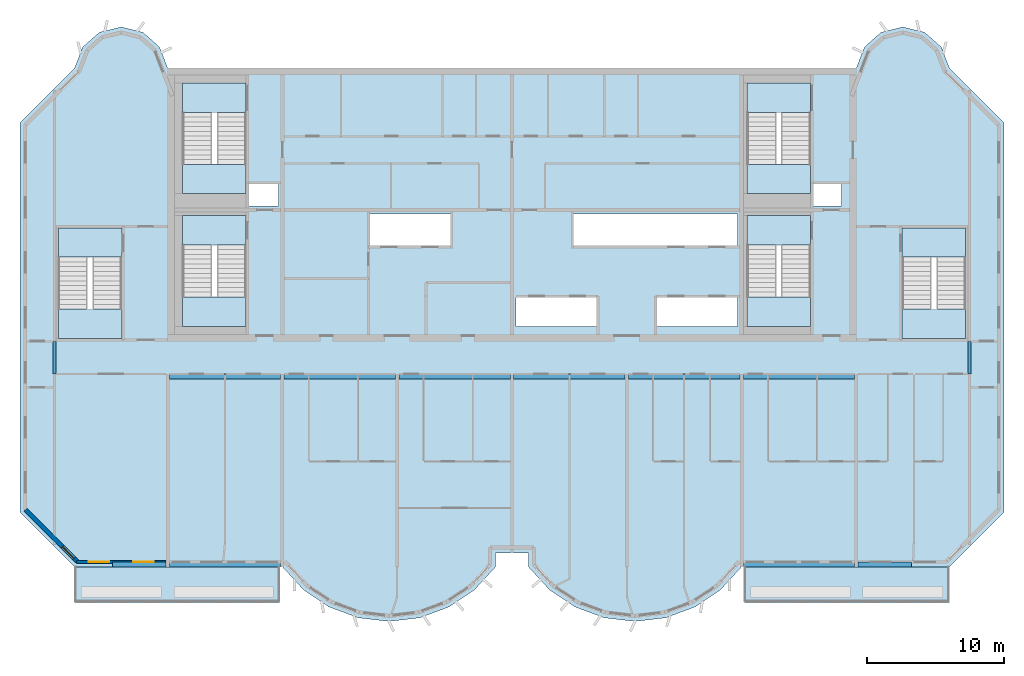
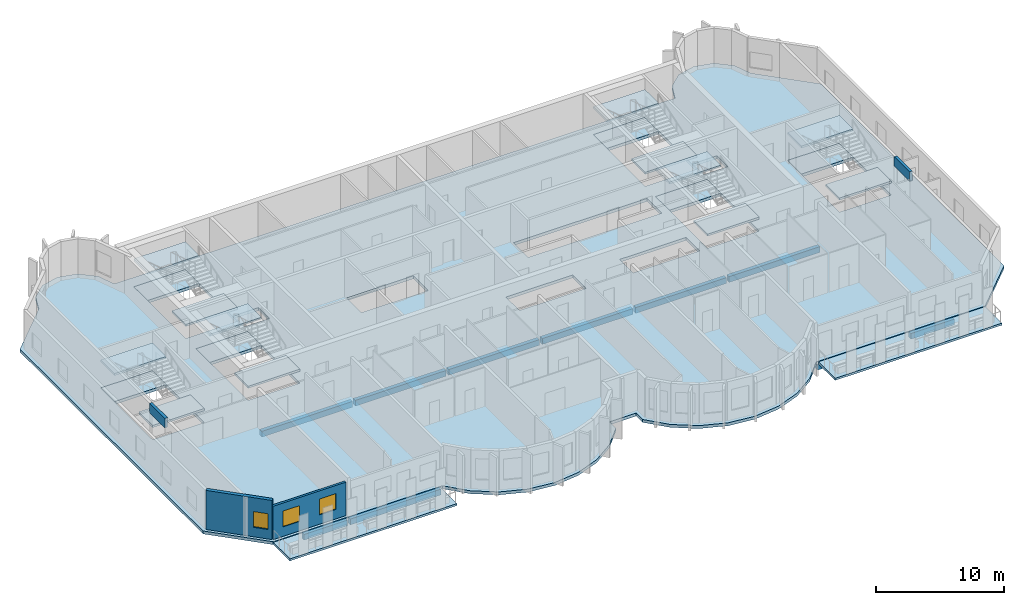
# One storey, part 1 of 12: 21 slabs, 12 beams, 3 windows, 2 walls, 3 openings, 6 elements without a shape of their own.
"""IFC4 building model written with IfcOpenShell, lengths in metres."""

from ifc_helpers import new_model, si_unit, direction, frame, frame_2d, origin, origin_2d, place, context, subcontext, project, spatial, polyline, rectangle, outline, extrude, source, transform, mapped, material, layer, layer_set, material_profile, profile_set, type_object, element, fill, aggregate, save


model = new_model("IFC4")

# Units and contexts
model_context = context("Model", 3, precision=1e-05, world=origin(), true_north=direction((0.0, 1.0)))
body_context = subcontext(model_context, "Body", "Model", "MODEL_VIEW")
ifc_project = project(units=[si_unit("LENGTHUNIT", "METRE"), si_unit("AREAUNIT", "SQUARE_METRE"), si_unit("VOLUMEUNIT", "CUBIC_METRE"), si_unit("PLANEANGLEUNIT", "RADIAN"), si_unit("MASSUNIT", "GRAM", prefix="KILO")], contexts=[model_context])

# Site, building, storey
site_placement = place(None, origin())
site = spatial("IfcSite", under=ifc_project, at=site_placement, CompositionType="ELEMENT")
building_placement = place(site_placement, origin())
building = spatial("IfcBuilding", under=site, at=building_placement, Name="Vanashikhar Sky Hotel", CompositionType="ELEMENT")
storey_placement = place(building_placement, frame((0.0, 0.0, 309.699951171875)))
storey = spatial("IfcBuildingStorey", under=building, at=storey_placement, Name="L74", CompositionType="ELEMENT", Elevation=309.699951171875)

# Beams
ifc_material_1 = material(Name="Concrete M50", Category="concrete")
ifc_material_profile_1 = material_profile(ifc_material_1, rectangle(XDim=0.25, YDim=0.89990234375, at=origin_2d()))
ifc_profile_set_1 = profile_set([ifc_material_profile_1], Name="RC 250x900 beam Concrete M50")
beam_type_1 = type_object("IfcBeamType", Name="RC 250x900 beam Concrete M50", PredefinedType="LINTEL", material=ifc_profile_set_1)
shared_shape_1 = source(origin(), body_context, "Body", "SweptSolid", [
    extrude(rectangle(XDim=0.25, YDim=0.89990234375, at=origin_2d()), origin(), (0.0, 0.0, 1.0), 2.39990234375),
])
for number, where, z_axis, x_axis, name in (
    (1, (16.925048828125, 19.60009765625, 3.27001953125), (0.0, 1.0, 0.0), (-1.0, 0.0, 0.0), "LB-L74-XW03"),
    (2, (83.875, 19.60009765625, 3.27001953125), (0.0, 1.0, 0.0), (-1.0, 0.0, 0.0), "LB-L74-XW11"),
):
    element("IfcBeam", number, at=place(storey_placement, frame(where, z_axis=z_axis, x_axis=x_axis)), inside=storey, type_object=beam_type_1, Name=name, PredefinedType="LINTEL", context=body_context, shape_type="MappedRepresentation", body=[
        mapped(shared_shape_1, transform((0.0, 0.0, 0.0), scale=1.0)),
    ])
ifc_material_profile_2 = material_profile(ifc_material_1, rectangle(XDim=0.35009765625, YDim=0.550048828125, at=origin_2d()))
ifc_profile_set_2 = profile_set([ifc_material_profile_2], Name="RC 350x550 beam Concrete M50")
beam_type_2 = type_object("IfcBeamType", Name="RC 350x550 beam Concrete M50", PredefinedType="SPANDREL", material=ifc_profile_set_2)
shared_shape_2 = source(origin(), body_context, "Body", "SweptSolid", [
    extrude(rectangle(XDim=0.35009765625, YDim=0.550048828125, at=origin_2d()), origin(), (0.0, 0.0, 1.0), 8.150146484375),
])
for number, where, z_axis, x_axis, name in (
    (3, (25.324951171875, 5.675048828125, -0.554931640625), (1.0, 0.0, 0.0), (0.0, 1.0, 0.0), "EB-L74-F01"),
    (4, (67.324951171875, 5.675048828125, -0.554931640625), (1.0, 0.0, 0.0), (0.0, 1.0, 0.0), "EB-L74-F03"),
    (5, (25.324951171875, 19.425048828125, -0.554931640625), (1.0, 0.0, 0.0), (0.0, 1.0, 0.0), "CB-L74-01"),
    (6, (50.52490234375, 19.425048828125, -0.554931640625), (1.0, 0.0, 0.0), (0.0, 1.0, 0.0), "CB-L74-04"),
    (7, (67.324951171875, 19.425048828125, -0.554931640625), (1.0, 0.0, 0.0), (0.0, 1.0, 0.0), "CB-L74-06"),
):
    element("IfcBeam", number, at=place(storey_placement, frame(where, z_axis=z_axis, x_axis=x_axis)), inside=storey, type_object=beam_type_2, Name=name, PredefinedType="SPANDREL", context=body_context, shape_type="MappedRepresentation", body=[
        mapped(shared_shape_2, transform((0.0, 0.0, 0.0), scale=1.0)),
    ])
ifc_material_profile_3 = material_profile(ifc_material_1, rectangle(XDim=0.35009765625, YDim=0.550048828125, at=origin_2d()))
ifc_profile_set_3 = profile_set([ifc_material_profile_3], Name="RC 350x550 cantilever beam Concrete M50")
beam_type_3 = type_object("IfcBeamType", Name="RC 350x550 cantilever beam Concrete M50", PredefinedType="SPANDREL", material=ifc_profile_set_3)
shared_shape_3 = source(origin(), body_context, "Body", "SweptSolid", [
    extrude(rectangle(XDim=0.35009765625, YDim=0.550048828125, at=origin_2d()), origin(), (0.0, 0.0, 1.0), 3.89990234375),
])
for number, where, z_axis, x_axis, name in (
    (8, (21.175048828125, 5.675048828125, -0.554931640625), (1.0, 0.0, 0.0), (0.0, 1.0, 0.0), "EB-L74-F02"),
    (9, (75.72509765625, 5.675048828125, -0.554931640625), (1.0, 0.0, 0.0), (0.0, 1.0, 0.0), "EB-L74-F04"),
):
    element("IfcBeam", number, at=place(storey_placement, frame(where, z_axis=z_axis, x_axis=x_axis)), inside=storey, type_object=beam_type_3, Name=name, PredefinedType="SPANDREL", context=body_context, shape_type="MappedRepresentation", body=[
        mapped(shared_shape_3, transform((0.0, 0.0, 0.0), scale=1.0)),
    ])
shared_shape_4 = source(origin(), body_context, "Body", "SweptSolid", [
    extrude(rectangle(XDim=0.35009765625, YDim=0.550048828125, at=origin_2d()), origin(), (0.0, 0.0, 1.0), 8.14990234375),
])
for number, where, z_axis, x_axis, name in (
    (10, (33.72509765625, 19.425048828125, -0.554931640625), (1.0, 0.0, 0.0), (0.0, 1.0, 0.0), "CB-L74-02"),
    (11, (42.125, 19.425048828125, -0.554931640625), (1.0, 0.0, 0.0), (0.0, 1.0, 0.0), "CB-L74-03"),
    (12, (58.925048828125, 19.425048828125, -0.554931640625), (1.0, 0.0, 0.0), (0.0, 1.0, 0.0), "CB-L74-05"),
):
    element("IfcBeam", number, at=place(storey_placement, frame(where, z_axis=z_axis, x_axis=x_axis)), inside=storey, type_object=beam_type_2, Name=name, PredefinedType="SPANDREL", context=body_context, shape_type="MappedRepresentation", body=[
        mapped(shared_shape_4, transform((0.0, 0.0, 0.0), scale=1.0)),
    ])

# Slabs
ifc_material_2 = material(Name="Concrete M40", Category="concrete")
ifc_layer_1 = layer(ifc_material_2, 0.280029296875)
ifc_layer_set_1 = layer_set([ifc_layer_1], Name="Floor slab 280 mm")
slab_type_1 = type_object("IfcSlabType", Name="Floor slab 280 mm", PredefinedType="FLOOR", material=ifc_layer_set_1)
shared_shape_5 = source(origin(), body_context, "Body", "SweptSolid", [
    extrude(outline(polyline([(49.199951171875, 5.5), (49.199951171875, 6.5), (51.60009765625, 6.5), (51.60009765625, 5.5), (53.133056640625, 3.825927734375), (55.01708984375, 2.55810546875), (57.14599609375, 1.76806640625), (59.39990234375, 1.5), (61.654052734375, 1.76806640625), (63.782958984375, 2.55810546875), (65.6669921875, 3.825927734375), (67.199951171875, 5.5), (82.39990234375, 5.5), (86.39990234375, 9.5), (86.39990234375, 38.0), (82.39990234375, 42.0), (81.81494140625, 43.527099609375), (80.587890625, 44.610107421875), (79.0, 45.0), (77.412109375, 44.610107421875), (76.18505859375, 43.527099609375), (75.60009765625, 42.0), (25.199951171875, 42.0), (24.614990234375, 43.527099609375), (23.387939453125, 44.610107421875), (21.800048828125, 45.0), (20.2119140625, 44.610107421875), (18.985107421875, 43.527099609375), (18.39990234375, 42.0), (14.39990234375, 38.0), (14.39990234375, 9.5), (18.39990234375, 5.5), (33.60009765625, 5.5), (35.133056640625, 3.825927734375), (37.01708984375, 2.55810546875), (39.14599609375, 1.76806640625), (41.39990234375, 1.5), (43.654052734375, 1.76806640625), (45.782958984375, 2.55810546875), (47.6669921875, 3.825927734375), (49.199951171875, 5.5)]), holes=[polyline([(33.300048828125, 33.60009765625), (31.050048828125, 33.60009765625), (31.050048828125, 31.89990234375), (33.300048828125, 31.89990234375), (33.300048828125, 33.60009765625)]), polyline([(39.89990234375, 31.300048828125), (39.89990234375, 29.0), (45.89990234375, 29.0), (45.89990234375, 31.300048828125), (39.89990234375, 31.300048828125)]), polyline([(50.699951171875, 25.199951171875), (50.699951171875, 23.10009765625), (56.699951171875, 23.10009765625), (56.699951171875, 25.199951171875), (50.699951171875, 25.199951171875)]), polyline([(66.89990234375, 29.0), (66.89990234375, 31.300048828125), (54.89990234375, 31.300048828125), (54.89990234375, 29.0), (66.89990234375, 29.0)]), polyline([(60.89990234375, 25.199951171875), (60.89990234375, 23.10009765625), (66.89990234375, 23.10009765625), (66.89990234375, 25.199951171875), (60.89990234375, 25.199951171875)]), polyline([(74.5, 33.60009765625), (72.35009765625, 33.60009765625), (72.35009765625, 31.89990234375), (74.5, 31.89990234375), (74.5, 33.60009765625)]), polyline([(30.949951171875, 23.10009765625), (30.949951171875, 31.199951171875), (26.300048828125, 31.199951171875), (26.300048828125, 23.10009765625), (30.949951171875, 23.10009765625)]), polyline([(72.25, 23.10009765625), (72.25, 31.199951171875), (67.60009765625, 31.199951171875), (67.60009765625, 23.10009765625), (72.25, 23.10009765625)]), polyline([(30.949951171875, 32.800048828125), (30.949951171875, 40.89990234375), (26.300048828125, 40.89990234375), (26.300048828125, 32.800048828125), (30.949951171875, 32.800048828125)]), polyline([(72.25, 32.800048828125), (72.25, 40.89990234375), (67.60009765625, 40.89990234375), (67.60009765625, 32.800048828125), (72.25, 32.800048828125)]), polyline([(83.60009765625, 22.199951171875), (83.60009765625, 30.300048828125), (78.949951171875, 30.300048828125), (78.949951171875, 22.199951171875), (83.60009765625, 22.199951171875)]), polyline([(21.85009765625, 22.199951171875), (21.85009765625, 30.300048828125), (17.199951171875, 30.300048828125), (17.199951171875, 22.199951171875), (21.85009765625, 22.199951171875)])]), origin(), (0.0, 0.0, 1.0), 0.280029296875),
])
slab_1_placement = place(storey_placement, frame((0.0, 0.0, -0.280029296875)))
element("IfcSlab", 13, at=slab_1_placement, inside=storey, type_object=slab_type_1, Name="Floor slab L74", PredefinedType="FLOOR", context=body_context, shape_type="MappedRepresentation", body=[
    mapped(shared_shape_5, transform((0.0, 0.0, 0.0), scale=1.0)),
])
ifc_layer_2 = layer(ifc_material_2, 0.199951171875)
ifc_layer_set_2 = layer_set([ifc_layer_2], Name="Balcony slab 200 mm")
slab_type_2 = type_object("IfcSlabType", Name="Balcony slab 200 mm", PredefinedType="USERDEFINED", material=ifc_layer_set_2)
shared_shape_6 = source(origin(), body_context, "Body", "SweptSolid", [
    extrude(outline(polyline([(18.39990234375, 2.89990234375), (33.39990234375, 2.89990234375), (33.39990234375, 5.5), (18.39990234375, 5.5), (18.39990234375, 2.89990234375)])), origin(), (0.0, 0.0, 1.0), 0.199951171875),
])
slab_2_placement = place(storey_placement, frame((0.0, 0.0, -0.25)))
element("IfcSlab", 14, at=slab_2_placement, inside=storey, type_object=slab_type_2, Name="Balcony slab L74 1", ObjectType="BALCONY", PredefinedType="USERDEFINED", context=body_context, shape_type="MappedRepresentation", body=[
    mapped(shared_shape_6, transform((0.0, 0.0, 0.0), scale=1.0)),
])
shared_shape_7 = source(origin(), body_context, "Body", "SweptSolid", [
    extrude(outline(polyline([(67.39990234375, 2.89990234375), (82.39990234375, 2.89990234375), (82.39990234375, 5.5), (67.39990234375, 5.5), (67.39990234375, 2.89990234375)])), origin(), (0.0, 0.0, 1.0), 0.199951171875),
])
slab_3_placement = place(storey_placement, frame((0.0, 0.0, -0.25)))
element("IfcSlab", 15, at=slab_3_placement, inside=storey, type_object=slab_type_2, Name="Balcony slab L74 2", ObjectType="BALCONY", PredefinedType="USERDEFINED", context=body_context, shape_type="MappedRepresentation", body=[
    mapped(shared_shape_7, transform((0.0, 0.0, 0.0), scale=1.0)),
])

# Stair, slabs
stair_type = type_object("IfcStairType", Name="Exit stair 2150", PredefinedType="DOUBLE_RETURN_STAIR", material=ifc_material_2)
stair_1_placement = place(storey_placement, origin())
stair_1 = element("IfcStair", 16, at=stair_1_placement, inside=storey, type_object=stair_type, Name="L74 Exit stair 1", PredefinedType="DOUBLE_RETURN_STAIR")
ifc_layer_3 = layer(ifc_material_2, 0.199951171875)
ifc_layer_set_3 = layer_set([ifc_layer_3], Name="Stair landing 200")
slab_type_3 = type_object("IfcSlabType", Name="Stair landing 200", PredefinedType="LANDING", material=ifc_layer_set_3)
shared_shape_8 = source(origin(), body_context, "Body", "SweptSolid", [
    extrude(outline(polyline([(30.949951171875, 29.050048828125), (30.949951171875, 31.199951171875), (26.300048828125, 31.199951171875), (26.300048828125, 29.050048828125), (30.949951171875, 29.050048828125)])), origin(), (0.0, 0.0, 1.0), 0.199951171875),
])
slab_4_placement = place(storey_placement, frame((0.0, 0.0, 2.466796875)))
slab_4 = element("IfcSlab", 17, at=slab_4_placement, type_object=slab_type_3, Name="ST-C1 landing 2", PredefinedType="LANDING", context=body_context, shape_type="MappedRepresentation", body=[
    mapped(shared_shape_8, transform((0.0, 0.0, 0.0), scale=1.0)),
])
shared_shape_9 = source(origin(), body_context, "Body", "SweptSolid", [
    extrude(outline(polyline([(30.949951171875, 23.10009765625), (30.949951171875, 25.25), (26.300048828125, 25.25), (26.300048828125, 23.10009765625), (30.949951171875, 23.10009765625)])), origin(), (0.0, 0.0, 1.0), 0.2001953125),
])
slab_5_placement = place(storey_placement, frame((0.0, 0.0, 1.13330078125)))
slab_5 = element("IfcSlab", 18, at=slab_5_placement, type_object=slab_type_3, Name="ST-C1 landing 1", PredefinedType="LANDING", context=body_context, shape_type="MappedRepresentation", body=[
    mapped(shared_shape_9, transform((0.0, 0.0, 0.0), scale=1.0)),
])
aggregate(stair_1, [slab_5, slab_4])

# Slab
ifc_layer_4 = layer(ifc_material_2, 0.280029296875)
ifc_layer_set_4 = layer_set([ifc_layer_4], Name="Stair floor landing 280")
slab_type_4 = type_object("IfcSlabType", Name="Stair floor landing 280", PredefinedType="LANDING", material=ifc_layer_set_4)
shared_shape_10 = source(origin(), body_context, "Body", "SweptSolid", [
    extrude(outline(polyline([(30.949951171875, 29.050048828125), (30.949951171875, 31.199951171875), (26.300048828125, 31.199951171875), (26.300048828125, 29.050048828125), (30.949951171875, 29.050048828125)])), origin(), (0.0, 0.0, 1.0), 0.280029296875),
])
slab_6_placement = place(storey_placement, frame((0.0, 0.0, -0.280029296875)))
element("IfcSlab", 19, at=slab_6_placement, inside=storey, type_object=slab_type_4, Name="Exit stair 1 floor landing", PredefinedType="LANDING", context=body_context, shape_type="MappedRepresentation", body=[
    mapped(shared_shape_10, transform((0.0, 0.0, 0.0), scale=1.0)),
])

# Stair, slabs
stair_2_placement = place(storey_placement, origin())
stair_2 = element("IfcStair", 20, at=stair_2_placement, inside=storey, type_object=stair_type, Name="L74 Exit stair 2", PredefinedType="DOUBLE_RETURN_STAIR")
shared_shape_11 = source(origin(), body_context, "Body", "SweptSolid", [
    extrude(outline(polyline([(72.25, 29.050048828125), (72.25, 31.199951171875), (67.60009765625, 31.199951171875), (67.60009765625, 29.050048828125), (72.25, 29.050048828125)])), origin(), (0.0, 0.0, 1.0), 0.199951171875),
])
slab_7_placement = place(storey_placement, frame((0.0, 0.0, 2.466796875)))
slab_7 = element("IfcSlab", 21, at=slab_7_placement, type_object=slab_type_3, Name="ST-C2 landing 2", PredefinedType="LANDING", context=body_context, shape_type="MappedRepresentation", body=[
    mapped(shared_shape_11, transform((0.0, 0.0, 0.0), scale=1.0)),
])
shared_shape_12 = source(origin(), body_context, "Body", "SweptSolid", [
    extrude(outline(polyline([(72.25, 23.10009765625), (72.25, 25.25), (67.60009765625, 25.25), (67.60009765625, 23.10009765625), (72.25, 23.10009765625)])), origin(), (0.0, 0.0, 1.0), 0.2001953125),
])
slab_8_placement = place(storey_placement, frame((0.0, 0.0, 1.13330078125)))
slab_8 = element("IfcSlab", 22, at=slab_8_placement, type_object=slab_type_3, Name="ST-C2 landing 1", PredefinedType="LANDING", context=body_context, shape_type="MappedRepresentation", body=[
    mapped(shared_shape_12, transform((0.0, 0.0, 0.0), scale=1.0)),
])
aggregate(stair_2, [slab_8, slab_7])

# Slab
shared_shape_13 = source(origin(), body_context, "Body", "SweptSolid", [
    extrude(outline(polyline([(72.25, 29.050048828125), (72.25, 31.199951171875), (67.60009765625, 31.199951171875), (67.60009765625, 29.050048828125), (72.25, 29.050048828125)])), origin(), (0.0, 0.0, 1.0), 0.280029296875),
])
slab_9_placement = place(storey_placement, frame((0.0, 0.0, -0.280029296875)))
element("IfcSlab", 23, at=slab_9_placement, inside=storey, type_object=slab_type_4, Name="Exit stair 2 floor landing", PredefinedType="LANDING", context=body_context, shape_type="MappedRepresentation", body=[
    mapped(shared_shape_13, transform((0.0, 0.0, 0.0), scale=1.0)),
])

# Stair, slabs
stair_3_placement = place(storey_placement, origin())
stair_3 = element("IfcStair", 24, at=stair_3_placement, inside=storey, type_object=stair_type, Name="L74 Exit stair 3", PredefinedType="DOUBLE_RETURN_STAIR")
shared_shape_14 = source(origin(), body_context, "Body", "SweptSolid", [
    extrude(outline(polyline([(21.85009765625, 28.14990234375), (21.85009765625, 30.300048828125), (17.199951171875, 30.300048828125), (17.199951171875, 28.14990234375), (21.85009765625, 28.14990234375)])), origin(), (0.0, 0.0, 1.0), 0.199951171875),
])
slab_10_placement = place(storey_placement, frame((0.0, 0.0, 2.466796875)))
slab_10 = element("IfcSlab", 25, at=slab_10_placement, type_object=slab_type_3, Name="ST-W landing 2", PredefinedType="LANDING", context=body_context, shape_type="MappedRepresentation", body=[
    mapped(shared_shape_14, transform((0.0, 0.0, 0.0), scale=1.0)),
])
shared_shape_15 = source(origin(), body_context, "Body", "SweptSolid", [
    extrude(outline(polyline([(21.85009765625, 22.199951171875), (21.85009765625, 24.35009765625), (17.199951171875, 24.35009765625), (17.199951171875, 22.199951171875), (21.85009765625, 22.199951171875)])), origin(), (0.0, 0.0, 1.0), 0.2001953125),
])
slab_11_placement = place(storey_placement, frame((0.0, 0.0, 1.13330078125)))
slab_11 = element("IfcSlab", 26, at=slab_11_placement, type_object=slab_type_3, Name="ST-W landing 1", PredefinedType="LANDING", context=body_context, shape_type="MappedRepresentation", body=[
    mapped(shared_shape_15, transform((0.0, 0.0, 0.0), scale=1.0)),
])
aggregate(stair_3, [slab_11, slab_10])

# Slab
shared_shape_16 = source(origin(), body_context, "Body", "SweptSolid", [
    extrude(outline(polyline([(21.85009765625, 28.14990234375), (21.85009765625, 30.300048828125), (17.199951171875, 30.300048828125), (17.199951171875, 28.14990234375), (21.85009765625, 28.14990234375)])), origin(), (0.0, 0.0, 1.0), 0.280029296875),
])
slab_12_placement = place(storey_placement, frame((0.0, 0.0, -0.280029296875)))
element("IfcSlab", 27, at=slab_12_placement, inside=storey, type_object=slab_type_4, Name="Exit stair 3 floor landing", PredefinedType="LANDING", context=body_context, shape_type="MappedRepresentation", body=[
    mapped(shared_shape_16, transform((0.0, 0.0, 0.0), scale=1.0)),
])

# Stair, slabs
stair_4_placement = place(storey_placement, origin())
stair_4 = element("IfcStair", 28, at=stair_4_placement, inside=storey, type_object=stair_type, Name="L74 Exit stair 4", PredefinedType="DOUBLE_RETURN_STAIR")
shared_shape_17 = source(origin(), body_context, "Body", "SweptSolid", [
    extrude(outline(polyline([(83.60009765625, 28.14990234375), (83.60009765625, 30.300048828125), (78.949951171875, 30.300048828125), (78.949951171875, 28.14990234375), (83.60009765625, 28.14990234375)])), origin(), (0.0, 0.0, 1.0), 0.199951171875),
])
slab_13_placement = place(storey_placement, frame((0.0, 0.0, 2.466796875)))
slab_13 = element("IfcSlab", 29, at=slab_13_placement, type_object=slab_type_3, Name="ST-E landing 2", PredefinedType="LANDING", context=body_context, shape_type="MappedRepresentation", body=[
    mapped(shared_shape_17, transform((0.0, 0.0, 0.0), scale=1.0)),
])
shared_shape_18 = source(origin(), body_context, "Body", "SweptSolid", [
    extrude(outline(polyline([(83.60009765625, 22.199951171875), (83.60009765625, 24.35009765625), (78.949951171875, 24.35009765625), (78.949951171875, 22.199951171875), (83.60009765625, 22.199951171875)])), origin(), (0.0, 0.0, 1.0), 0.2001953125),
])
slab_14_placement = place(storey_placement, frame((0.0, 0.0, 1.13330078125)))
slab_14 = element("IfcSlab", 30, at=slab_14_placement, type_object=slab_type_3, Name="ST-E landing 1", PredefinedType="LANDING", context=body_context, shape_type="MappedRepresentation", body=[
    mapped(shared_shape_18, transform((0.0, 0.0, 0.0), scale=1.0)),
])
aggregate(stair_4, [slab_14, slab_13])

# Slab
shared_shape_19 = source(origin(), body_context, "Body", "SweptSolid", [
    extrude(outline(polyline([(83.60009765625, 28.14990234375), (83.60009765625, 30.300048828125), (78.949951171875, 30.300048828125), (78.949951171875, 28.14990234375), (83.60009765625, 28.14990234375)])), origin(), (0.0, 0.0, 1.0), 0.280029296875),
])
slab_15_placement = place(storey_placement, frame((0.0, 0.0, -0.280029296875)))
element("IfcSlab", 31, at=slab_15_placement, inside=storey, type_object=slab_type_4, Name="Exit stair 4 floor landing", PredefinedType="LANDING", context=body_context, shape_type="MappedRepresentation", body=[
    mapped(shared_shape_19, transform((0.0, 0.0, 0.0), scale=1.0)),
])

# Stair, slabs
stair_5_placement = place(storey_placement, origin())
stair_5 = element("IfcStair", 32, at=stair_5_placement, inside=storey, type_object=stair_type, Name="L74 Exit stair 5", PredefinedType="DOUBLE_RETURN_STAIR")
shared_shape_20 = source(origin(), body_context, "Body", "SweptSolid", [
    extrude(outline(polyline([(30.949951171875, 38.75), (30.949951171875, 40.89990234375), (26.300048828125, 40.89990234375), (26.300048828125, 38.75), (30.949951171875, 38.75)])), origin(), (0.0, 0.0, 1.0), 0.199951171875),
])
slab_16_placement = place(storey_placement, frame((0.0, 0.0, 2.466796875)))
slab_16 = element("IfcSlab", 33, at=slab_16_placement, type_object=slab_type_3, Name="ST-C3 landing 2", PredefinedType="LANDING", context=body_context, shape_type="MappedRepresentation", body=[
    mapped(shared_shape_20, transform((0.0, 0.0, 0.0), scale=1.0)),
])
shared_shape_21 = source(origin(), body_context, "Body", "SweptSolid", [
    extrude(outline(polyline([(30.949951171875, 32.800048828125), (30.949951171875, 34.949951171875), (26.300048828125, 34.949951171875), (26.300048828125, 32.800048828125), (30.949951171875, 32.800048828125)])), origin(), (0.0, 0.0, 1.0), 0.2001953125),
])
slab_17_placement = place(storey_placement, frame((0.0, 0.0, 1.13330078125)))
slab_17 = element("IfcSlab", 34, at=slab_17_placement, type_object=slab_type_3, Name="ST-C3 landing 1", PredefinedType="LANDING", context=body_context, shape_type="MappedRepresentation", body=[
    mapped(shared_shape_21, transform((0.0, 0.0, 0.0), scale=1.0)),
])
aggregate(stair_5, [slab_17, slab_16])

# Slab
shared_shape_22 = source(origin(), body_context, "Body", "SweptSolid", [
    extrude(outline(polyline([(30.949951171875, 38.75), (30.949951171875, 40.89990234375), (26.300048828125, 40.89990234375), (26.300048828125, 38.75), (30.949951171875, 38.75)])), origin(), (0.0, 0.0, 1.0), 0.280029296875),
])
slab_18_placement = place(storey_placement, frame((0.0, 0.0, -0.280029296875)))
element("IfcSlab", 35, at=slab_18_placement, inside=storey, type_object=slab_type_4, Name="Exit stair 5 floor landing", PredefinedType="LANDING", context=body_context, shape_type="MappedRepresentation", body=[
    mapped(shared_shape_22, transform((0.0, 0.0, 0.0), scale=1.0)),
])

# Stair, slabs
stair_6_placement = place(storey_placement, origin())
stair_6 = element("IfcStair", 36, at=stair_6_placement, inside=storey, type_object=stair_type, Name="L74 Exit stair 6", PredefinedType="DOUBLE_RETURN_STAIR")
shared_shape_23 = source(origin(), body_context, "Body", "SweptSolid", [
    extrude(outline(polyline([(72.25, 38.75), (72.25, 40.89990234375), (67.60009765625, 40.89990234375), (67.60009765625, 38.75), (72.25, 38.75)])), origin(), (0.0, 0.0, 1.0), 0.199951171875),
])
slab_19_placement = place(storey_placement, frame((0.0, 0.0, 2.466796875)))
slab_19 = element("IfcSlab", 37, at=slab_19_placement, type_object=slab_type_3, Name="ST-C4 landing 2", PredefinedType="LANDING", context=body_context, shape_type="MappedRepresentation", body=[
    mapped(shared_shape_23, transform((0.0, 0.0, 0.0), scale=1.0)),
])
shared_shape_24 = source(origin(), body_context, "Body", "SweptSolid", [
    extrude(outline(polyline([(72.25, 32.800048828125), (72.25, 34.949951171875), (67.60009765625, 34.949951171875), (67.60009765625, 32.800048828125), (72.25, 32.800048828125)])), origin(), (0.0, 0.0, 1.0), 0.2001953125),
])
slab_20_placement = place(storey_placement, frame((0.0, 0.0, 1.13330078125)))
slab_20 = element("IfcSlab", 38, at=slab_20_placement, type_object=slab_type_3, Name="ST-C4 landing 1", PredefinedType="LANDING", context=body_context, shape_type="MappedRepresentation", body=[
    mapped(shared_shape_24, transform((0.0, 0.0, 0.0), scale=1.0)),
])
aggregate(stair_6, [slab_20, slab_19])

# Slab
shared_shape_25 = source(origin(), body_context, "Body", "SweptSolid", [
    extrude(outline(polyline([(72.25, 38.75), (72.25, 40.89990234375), (67.60009765625, 40.89990234375), (67.60009765625, 38.75), (72.25, 38.75)])), origin(), (0.0, 0.0, 1.0), 0.280029296875),
])
slab_21_placement = place(storey_placement, frame((0.0, 0.0, -0.280029296875)))
element("IfcSlab", 39, at=slab_21_placement, inside=storey, type_object=slab_type_4, Name="Exit stair 6 floor landing", PredefinedType="LANDING", context=body_context, shape_type="MappedRepresentation", body=[
    mapped(shared_shape_25, transform((0.0, 0.0, 0.0), scale=1.0)),
])

# Wall, openings, windows
ifc_layer_5 = layer(ifc_material_1, 0.199951171875)
ifc_layer_set_5 = layer_set([ifc_layer_5], Name="Front window wall 200")
wall_type_1 = type_object("IfcWallType", Name="Front window wall 200", PredefinedType="SOLIDWALL", material=ifc_layer_set_5)
shared_shape_26 = source(origin(), body_context, "Body", "SweptSolid", [
    extrude(rectangle(XDim=6.530029296875, YDim=0.199951171875, at=frame_2d((3.26513671875, 0.0))), origin(), (0.0, 0.0, 1.0), 3.170166015625),
])
wall_1_placement = place(storey_placement, frame((18.544921875, 5.85009765625, 0.0), z_axis=(0.0, 0.0, 1.0), x_axis=(1.0, 0.0, 0.0)))
wall_1 = element("IfcWall", 40, at=wall_1_placement, inside=storey, type_object=wall_type_1, Name="Front window wall", PredefinedType="SOLIDWALL", context=body_context, shape_type="MappedRepresentation", body=[
    mapped(shared_shape_26, transform((0.0, 0.0, 0.0), scale=1.0)),
])
shared_shape_27 = source(origin(), body_context, "Body", "SweptSolid", [
    extrude(rectangle(XDim=1.5, YDim=1.5, at=frame_2d((0.75, 0.75))), frame((0.0, 0.10986328125, 0.0), z_axis=(0.0, -1.0, 0.0), x_axis=(1.0, 0.0, 0.0)), (0.0, 0.0, 1.0), 0.219970703125),
])
opening_1_placement = place(wall_1_placement, frame((0.882568359375, 0.0, 0.89990234375)))
opening_1 = element("IfcOpeningElement", 41, at=opening_1_placement, cuts=wall_1, Name="Opening WN-1", PredefinedType="OPENING", context=body_context, shape_type="MappedRepresentation", body=[
    mapped(shared_shape_27, transform((0.0, 0.0, 0.0), scale=1.0)),
])
opening_2_placement = place(wall_1_placement, frame((4.1474609375, 0.0, 0.89990234375)))
opening_2 = element("IfcOpeningElement", 42, at=opening_2_placement, cuts=wall_1, Name="Opening WN-1", PredefinedType="OPENING", context=body_context, shape_type="MappedRepresentation", body=[
    mapped(shared_shape_27, transform((0.0, 0.0, 0.0), scale=1.0)),
])
ifc_material_3 = material(Name="Glass", Category="glass")
window_type_1 = type_object("IfcWindowType", Name="Window 1500 x 1500", PartitioningType="SINGLE_PANEL", PredefinedType="WINDOW", material=ifc_material_3)
shared_shape_28 = source(origin(), body_context, "Body", "SweptSolid", [
    extrude(rectangle(XDim=1.5, YDim=1.5, at=frame_2d((0.75, 0.75))), frame((0.0, 0.030029296875, 0.0), z_axis=(0.0, -1.0, 0.0), x_axis=(1.0, 0.0, 0.0)), (0.0, 0.0, 1.0), 0.06005859375),
])
window_1_placement = place(opening_1_placement, origin())
window_1 = element("IfcWindow", 43, at=window_1_placement, inside=storey, type_object=window_type_1, Name="Window WN-1", OverallHeight=1.5, OverallWidth=1.5, PartitioningType="SINGLE_PANEL", PredefinedType="WINDOW", context=body_context, shape_type="MappedRepresentation", body=[
    mapped(shared_shape_28, transform((0.0, 0.0, 0.0), scale=1.0)),
])
fill(opening_1, window_1)
window_2_placement = place(opening_2_placement, origin())
window_2 = element("IfcWindow", 44, at=window_2_placement, inside=storey, type_object=window_type_1, Name="Window WN-1", OverallHeight=1.5, OverallWidth=1.5, PartitioningType="SINGLE_PANEL", PredefinedType="WINDOW", context=body_context, shape_type="MappedRepresentation", body=[
    mapped(shared_shape_28, transform((0.0, 0.0, 0.0), scale=1.0)),
])
fill(opening_2, window_2)

# Wall, opening, window
ifc_layer_6 = layer(ifc_material_1, 0.300048828125)
ifc_layer_set_6 = layer_set([ifc_layer_6], Name="Lobe wall 300")
wall_type_2 = type_object("IfcWallType", Name="Lobe wall 300", PredefinedType="SOLIDWALL", material=ifc_layer_set_6)
shared_shape_29 = source(origin(), body_context, "Body", "SweptSolid", [
    extrude(rectangle(XDim=5.32568359375, YDim=0.300048828125, at=frame_2d((2.662841796875, 0.0))), origin(), (0.0, 0.0, 1.0), 3.719970703125),
])
wall_2_placement = place(storey_placement, frame((14.800048828125, 9.665771484375, 0.0), z_axis=(0.0, 0.0, 1.0), x_axis=(0.707083859269, -0.707129702361, 0.0)))
wall_2 = element("IfcWall", 45, at=wall_2_placement, inside=storey, type_object=wall_type_2, Name="Corner wall", PredefinedType="SOLIDWALL", context=body_context, shape_type="MappedRepresentation", body=[
    mapped(shared_shape_29, transform((0.0, 0.0, 0.0), scale=1.0)),
])
shared_shape_30 = source(origin(), body_context, "Body", "SweptSolid", [
    extrude(rectangle(XDim=1.199951171875, YDim=1.5, at=frame_2d((0.60009765625, 0.75))), frame((0.0, 0.16015625, 0.0), z_axis=(0.0, -1.0, 0.0), x_axis=(1.0, 0.0, 0.0)), (0.0, 0.0, 1.0), 0.320068359375),
])
opening_3_placement = place(wall_2_placement, frame((3.8154296875, 0.0, 0.89990234375)))
opening_3 = element("IfcOpeningElement", 46, at=opening_3_placement, cuts=wall_2, Name="Opening WN-3", PredefinedType="OPENING", context=body_context, shape_type="MappedRepresentation", body=[
    mapped(shared_shape_30, transform((0.0, 0.0, 0.0), scale=1.0)),
])
window_type_2 = type_object("IfcWindowType", Name="Corridor end window 1200 x 1500", PartitioningType="SINGLE_PANEL", PredefinedType="WINDOW", material=ifc_material_3)
shared_shape_31 = source(origin(), body_context, "Body", "SweptSolid", [
    extrude(rectangle(XDim=1.199951171875, YDim=1.5, at=frame_2d((0.60009765625, 0.75))), frame((0.0, 0.030029296875, 0.0), z_axis=(0.0, -1.0, 0.0), x_axis=(1.0, 0.0, 0.0)), (0.0, 0.0, 1.0), 0.06005859375),
])
window_3_placement = place(opening_3_placement, origin())
window_3 = element("IfcWindow", 47, at=window_3_placement, inside=storey, type_object=window_type_2, Name="Window WN-3", OverallHeight=1.5, OverallWidth=1.199951171875, PartitioningType="SINGLE_PANEL", PredefinedType="WINDOW", context=body_context, shape_type="MappedRepresentation", body=[
    mapped(shared_shape_31, transform((0.0, 0.0, 0.0), scale=1.0)),
])
fill(opening_3, window_3)

save(model, "model.ifc")
